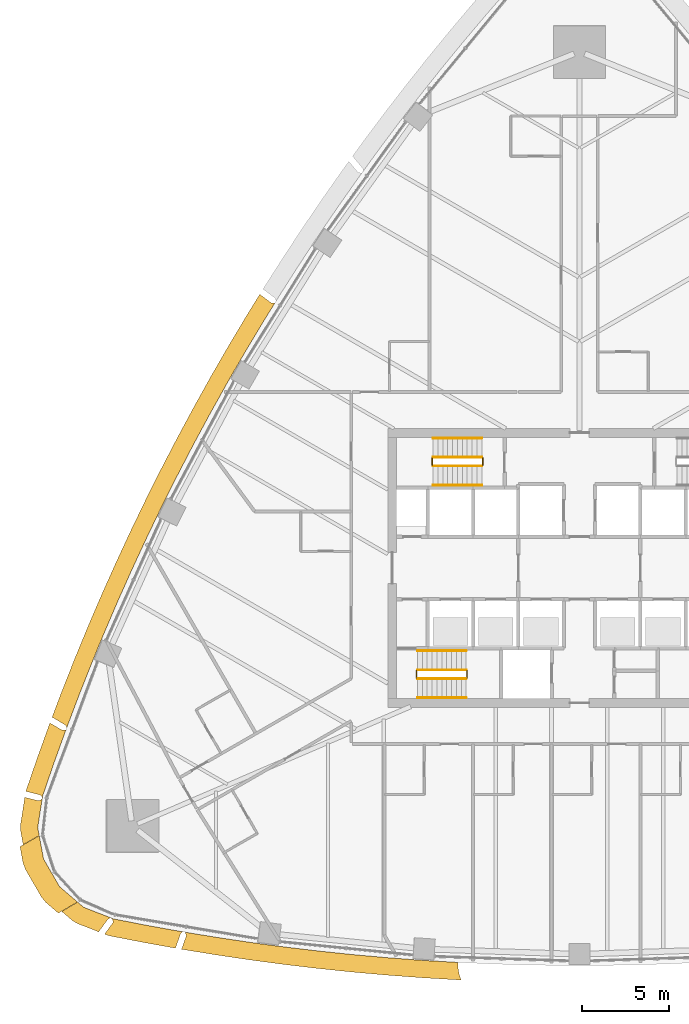
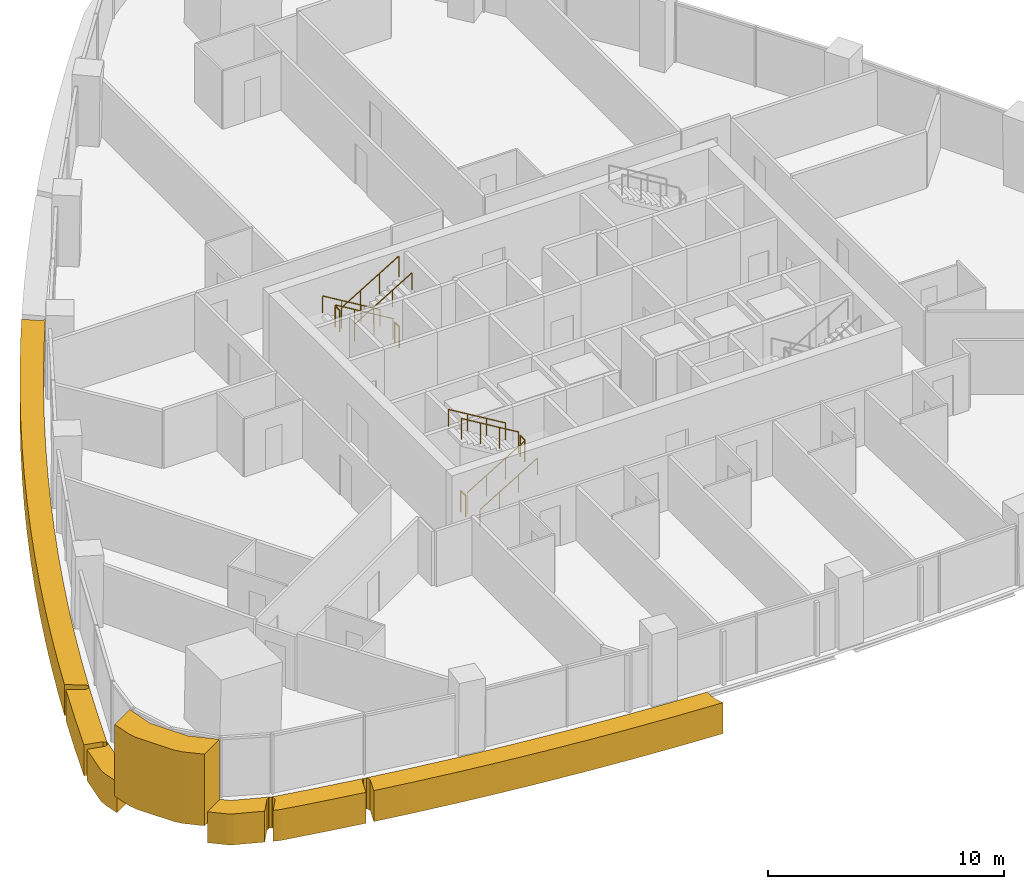
# One storey, part 14 of 17: 12 railings, 3 coverings.
"""IFC4 building model written with IfcOpenShell, lengths in metres."""

from ifc_helpers import new_model, si_unit, direction, frame, origin, origin_2d, place, context, subcontext, project, spatial, polyline, circle, outline, extrude, material, layer, layer_set, type_object, element, save


model = new_model("IFC4")

# Units and contexts
model_context = context("Model", 3, precision=1e-05, world=origin(), true_north=direction((0.0, 1.0)))
body_context = subcontext(model_context, "Body", "Model", "MODEL_VIEW")
ifc_project = project(units=[si_unit("LENGTHUNIT", "METRE"), si_unit("AREAUNIT", "SQUARE_METRE"), si_unit("VOLUMEUNIT", "CUBIC_METRE"), si_unit("PLANEANGLEUNIT", "RADIAN"), si_unit("MASSUNIT", "GRAM", prefix="KILO")], contexts=[model_context])

# Site, building, storey
site_placement = place(None, origin())
site = spatial("IfcSite", under=ifc_project, at=site_placement, CompositionType="ELEMENT")
building_placement = place(site_placement, origin())
building = spatial("IfcBuilding", under=site, at=building_placement, Name="Sierra Prisma Convention Tower", CompositionType="ELEMENT")
storey_placement = place(building_placement, frame((0.0, 0.0, 99.800048828125)))
storey = spatial("IfcBuildingStorey", under=building, at=storey_placement, Name="L21", CompositionType="ELEMENT", Elevation=99.800048828125)

# Coverings
ifc_material_1 = material(Name="Aluminium composite bronze anodised", Category="aluminium")
ifc_layer_1 = layer(ifc_material_1, 1.199951171875)
ifc_layer_set_1 = layer_set([ifc_layer_1], Name="Bronze corner pier")
covering_type_1 = type_object("IfcCoveringType", Name="Bronze corner pier", PredefinedType="CLADDING", material=ifc_layer_set_1)
covering_1_placement = place(storey_placement, frame((0.0, 0.0, -0.60009765625)))
element("IfcCovering", 1, at=covering_1_placement, inside=storey, type_object=covering_type_1, Name="Corner pier SW L21.1", PredefinedType="CLADDING", context=body_context, shape_type="SweptSolid", body=[
    extrude(outline(polyline([(-29.83544921875, -18.28271484375), (-28.801025390625, -19.168701171875), (-29.903076171875, -19.8046875), (-30.615966796875, -19.194091796875), (-30.87451171875, -18.8828125), (-31.790283203125, -17.296875), (-31.9306640625, -16.9169921875), (-32.10302734375, -15.994384765625), (-31.0009765625, -15.358154296875), (-30.7509765625, -16.69677734375), (-29.83544921875, -18.28271484375)])), origin(), (0.0, 0.0, 1.0), 3.699951171875),
])
ifc_material_2 = material(Name="Aluminium composite bronze anodised", Category="aluminium")
ifc_layer_2 = layer(ifc_material_2, 1.0)
ifc_layer_set_2 = layer_set([ifc_layer_2], Name="Bronze spandrel band")
covering_type_2 = type_object("IfcCoveringType", Name="Bronze spandrel band", PredefinedType="CLADDING", material=ifc_layer_set_2)
covering_2_placement = place(storey_placement, frame((0.0, 0.0, -1.60009765625)))
element("IfcCovering", 2, at=covering_2_placement, inside=storey, type_object=covering_type_2, Name="Spandrel band L21.1", PredefinedType="CLADDING", context=body_context, shape_type="SweptSolid", body=[
    extrude(outline(polyline([(-23.056884765625, 7.506591796875), (-23.0498046875, 7.519775390625), (-22.1044921875, 9.27490234375), (-22.097412109375, 9.2880859375), (-21.126220703125, 11.029052734375), (-21.118896484375, 11.0419921875), (-20.122314453125, 12.7685546875), (-20.11474609375, 12.781494140625), (-19.09228515625, 14.492919921875), (-19.084716796875, 14.505615234375), (-18.344482421875, 15.70458984375), (-17.688720703125, 15.209716796875), (-17.6845703125, 15.206787109375), (-17.679931640625, 15.204345703125), (-17.67529296875, 15.202392578125), (-17.670654296875, 15.200927734375), (-17.66552734375, 15.2001953125), (-17.66064453125, 15.19970703125), (-17.510009765625, 15.193359375), (-17.50537109375, 15.193359375), (-17.50048828125, 15.19384765625), (-17.495849609375, 15.19482421875), (-17.4912109375, 15.1962890625), (-17.48681640625, 15.197998046875), (-17.482666015625, 15.2001953125), (-17.47900390625, 15.202392578125), (-18.23388671875, 13.980224609375), (-19.256103515625, 12.2685546875), (-19.4453125, 11.941162109375), (-19.448486328125, 11.938232421875), (-19.451904296875, 11.934814453125), (-19.455078125, 11.930908203125), (-19.457763671875, 11.9267578125), (-20.0576171875, 10.887451171875), (-20.06005859375, 10.883056640625), (-20.061767578125, 10.878662109375), (-20.06298828125, 10.873779296875), (-20.06396484375, 10.869384765625), (-20.2529296875, 10.5419921875), (-21.22412109375, 8.80078125), (-22.16943359375, 7.04541015625), (-23.088623046875, 5.2763671875), (-23.70361328125, 4.048828125), (-23.705322265625, 4.047607421875), (-23.708740234375, 4.044189453125), (-23.7119140625, 4.040283203125), (-23.714599609375, 4.03662109375), (-23.716796875, 4.0322265625), (-23.9794921875, 3.498291015625), (-23.981689453125, 3.493896484375), (-23.98388671875, 3.489501953125), (-24.24658203125, 2.955322265625), (-24.248291015625, 2.950927734375), (-24.25, 2.9462890625), (-24.2509765625, 2.94140625), (-24.25146484375, 2.9365234375), (-24.25146484375, 2.934814453125), (-24.84814453125, 1.6982421875), (-25.68798828125, -0.10986328125), (-26.5009765625, -1.93017578125), (-27.287109375, -3.762451171875), (-27.430908203125, -4.112060546875), (-27.43115234375, -4.1123046875), (-27.43408203125, -4.11572265625), (-27.43701171875, -4.11962890625), (-27.439453125, -4.123779296875), (-27.44140625, -4.128173828125), (-27.898193359375, -5.23779296875), (-27.89990234375, -5.242431640625), (-27.90087890625, -5.247314453125), (-27.901611328125, -5.251953125), (-27.90185546875, -5.256591796875), (-28.0458984375, -5.606201171875), (-28.777099609375, -7.460693359375), (-29.481201171875, -9.326171875), (-30.1572265625, -11.20166015625), (-30.8056640625, -13.0869140625), (-31.087158203125, -14.896484375), (-31.0029296875, -15.34765625), (-31.92138671875, -15.8779296875), (-32.0703125, -15.080078125), (-32.0751953125, -14.742919921875), (-31.82958984375, -13.1630859375), (-31.05810546875, -13.353515625), (-31.052978515625, -13.3544921875), (-31.048095703125, -13.35498046875), (-31.043212890625, -13.354736328125), (-31.0380859375, -13.354248046875), (-31.033203125, -13.353271484375), (-31.0283203125, -13.3515625), (-30.887451171875, -13.298095703125), (-30.883056640625, -13.296142578125), (-30.87890625, -13.2939453125), (-30.875, -13.291259765625), (-30.871337890625, -13.2880859375), (-30.867919921875, -13.28466796875), (-30.864990234375, -13.281005859375), (-30.8623046875, -13.277099609375), (-30.860107421875, -13.272705078125), (-30.8583984375, -13.268310546875), (-30.856689453125, -13.263916015625), (-30.85595703125, -13.259033203125), (-30.840576171875, -13.160400390625), (-30.840087890625, -13.155517578125), (-30.83984375, -13.150634765625), (-30.84033203125, -13.145751953125), (-30.84130859375, -13.14111328125), (-30.842529296875, -13.13623046875), (-30.844482421875, -13.1318359375), (-30.8466796875, -13.12744140625), (-30.849365234375, -13.123291015625), (-30.852294921875, -13.11962890625), (-30.855712890625, -13.1162109375), (-30.951904296875, -13.025634765625), (-30.955810546875, -13.0224609375), (-30.960205078125, -13.01953125), (-30.964599609375, -13.01708984375), (-30.969482421875, -13.01513671875), (-30.974365234375, -13.013671875), (-31.765380859375, -12.818603515625), (-31.751220703125, -12.76171875), (-31.102783203125, -10.87646484375), (-31.097900390625, -10.862548828125), (-30.421875, -8.98681640625), (-30.416748046875, -8.97314453125), (-30.38671875, -8.893310546875), (-29.6904296875, -9.30517578125), (-29.686279296875, -9.307373046875), (-29.681884765625, -9.30908203125), (-29.677490234375, -9.310546875), (-29.673095703125, -9.3115234375), (-29.66845703125, -9.31201171875), (-29.663818359375, -9.312255859375), (-29.6591796875, -9.311767578125), (-29.500732421875, -9.293212890625), (-29.495849609375, -9.29248046875), (-29.4912109375, -9.291259765625), (-29.486328125, -9.289306640625), (-29.48193359375, -9.287109375), (-29.477783203125, -9.284423828125), (-29.473876953125, -9.281494140625), (-29.47021484375, -9.278076171875), (-29.467041015625, -9.274169921875), (-29.464111328125, -9.27001953125), (-29.4619140625, -9.265869140625), (-29.459716796875, -9.26123046875), (-29.424560546875, -9.16748046875), (-29.423095703125, -9.16259765625), (-29.422119140625, -9.15771484375), (-29.42138671875, -9.152587890625), (-29.42138671875, -9.147216796875), (-29.422119140625, -9.14208984375), (-29.423095703125, -9.13720703125), (-29.4248046875, -9.132080078125), (-29.4267578125, -9.12744140625), (-29.42919921875, -9.123046875), (-29.49560546875, -9.02001953125), (-29.498291015625, -9.01611328125), (-29.50146484375, -9.0126953125), (-29.504638671875, -9.009521484375), (-29.50830078125, -9.006591796875), (-29.51220703125, -9.00390625), (-30.26123046875, -8.560791015625), (-29.712890625, -7.10791015625), (-29.70751953125, -7.093994140625), (-28.97607421875, -5.2392578125), (-28.970458984375, -5.2255859375), (-28.211669921875, -3.3818359375), (-28.2060546875, -3.3681640625), (-27.419921875, -1.535888671875), (-27.4140625, -1.5224609375), (-26.60107421875, 0.2978515625), (-26.594970703125, 0.311279296875), (-25.755126953125, 2.11962890625), (-25.748779296875, 2.1328125), (-24.88232421875, 3.928466796875), (-24.875732421875, 3.94189453125), (-23.98291015625, 5.724365234375), (-23.97607421875, 5.737548828125), (-23.056884765625, 7.506591796875)])), origin(), (0.0, 0.0, 1.0), 1.60009765625),
])
covering_3_placement = place(storey_placement, frame((0.0, 0.0, -1.60009765625)))
element("IfcCovering", 3, at=covering_3_placement, inside=storey, type_object=covering_type_2, Name="Spandrel band L21.2", PredefinedType="CLADDING", context=body_context, shape_type="SweptSolid", body=[
    extrude(outline(polyline([(-17.295654296875, -21.700927734375), (-17.291015625, -21.701416015625), (-17.2861328125, -21.701416015625), (-17.281494140625, -21.700927734375), (-17.27685546875, -21.699951171875), (-17.276611328125, -21.69970703125), (-16.90185546875, -21.75), (-14.922119140625, -21.9853515625), (-12.939208984375, -22.191650390625), (-10.953369140625, -22.368408203125), (-9.583984375, -22.4697265625), (-9.58251953125, -22.470703125), (-9.578125, -22.47265625), (-9.573486328125, -22.47412109375), (-9.568603515625, -22.47509765625), (-9.563720703125, -22.4755859375), (-8.9716796875, -22.51513671875), (-8.965087890625, -22.515625), (-8.95849609375, -22.51611328125), (-8.366455078125, -22.5556640625), (-8.361572265625, -22.5556640625), (-8.356689453125, -22.555419921875), (-8.35205078125, -22.554443359375), (-8.347412109375, -22.55322265625), (-8.345458984375, -22.552490234375), (-6.977783203125, -22.633544921875), (-6.97412109375, -22.85595703125), (-6.94580078125, -23.102294921875), (-6.8935546875, -23.344482421875), (-6.817626953125, -23.580322265625), (-6.79052734375, -23.642822265625), (-7.019287109375, -23.6328125), (-7.033935546875, -23.6318359375), (-9.024169921875, -23.513916015625), (-9.0390625, -23.512939453125), (-11.027099609375, -23.365478515625), (-11.0419921875, -23.364501953125), (-13.02783203125, -23.1875), (-13.04248046875, -23.186279296875), (-15.025390625, -22.97998046875), (-15.040283203125, -22.978515625), (-17.02001953125, -22.742919921875), (-17.03466796875, -22.7412109375), (-19.0107421875, -22.476318359375), (-19.025390625, -22.474365234375), (-20.997314453125, -22.180419921875), (-21.011962890625, -22.177978515625), (-22.832275390625, -21.879150390625), (-22.563720703125, -21.1162109375), (-22.5625, -21.11181640625), (-22.561279296875, -21.107421875), (-22.560791015625, -21.102783203125), (-22.560791015625, -21.097900390625), (-22.561279296875, -21.093505859375), (-22.56201171875, -21.0888671875), (-22.563232421875, -21.084228515625), (-22.6123046875, -20.9326171875), (-22.614013671875, -20.927978515625), (-22.6162109375, -20.923583984375), (-22.618896484375, -20.919189453125), (-22.621826171875, -20.915283203125), (-22.62548828125, -20.911865234375), (-22.629150390625, -20.908447265625), (-22.63330078125, -20.90576171875), (-22.637451171875, -20.9033203125), (-22.64208984375, -20.901123046875), (-22.646728515625, -20.899658203125), (-22.651611328125, -20.898681640625), (-22.750244140625, -20.88232421875), (-22.755615234375, -20.881591796875), (-22.7607421875, -20.881591796875), (-22.765869140625, -20.882080078125), (-22.77099609375, -20.88330078125), (-22.77587890625, -20.884765625), (-22.780517578125, -20.88671875), (-22.78515625, -20.889404296875), (-22.789306640625, -20.892333984375), (-22.793212890625, -20.895751953125), (-22.88134765625, -20.980712890625), (-22.884521484375, -20.984130859375), (-22.887451171875, -20.98779296875), (-22.889892578125, -20.99169921875), (-22.89208984375, -20.995849609375), (-22.893798828125, -21.0), (-23.181884765625, -21.81884765625), (-24.956298828125, -21.50048828125), (-24.970703125, -21.497802734375), (-26.927490234375, -21.11669921875), (-27.097412109375, -21.067626953125), (-27.2490234375, -21.0087890625), (-26.783935546875, -20.372314453125), (-26.78125, -20.3681640625), (-26.779052734375, -20.36376953125), (-26.777099609375, -20.359130859375), (-26.77587890625, -20.354248046875), (-26.77490234375, -20.349365234375), (-26.7744140625, -20.344482421875), (-26.7744140625, -20.339599609375), (-26.785400390625, -20.171875), (-26.7861328125, -20.167236328125), (-26.787109375, -20.16259765625), (-26.78857421875, -20.157958984375), (-26.790283203125, -20.15380859375), (-26.79248046875, -20.1494140625), (-26.795166015625, -20.1455078125), (-26.798095703125, -20.141845703125), (-26.801513671875, -20.138427734375), (-26.804931640625, -20.135498046875), (-26.808837890625, -20.1328125), (-26.81298828125, -20.13037109375), (-26.8173828125, -20.12841796875), (-26.91064453125, -20.09228515625), (-26.915283203125, -20.0908203125), (-26.920166015625, -20.08984375), (-26.925048828125, -20.089111328125), (-26.93017578125, -20.089111328125), (-26.93505859375, -20.089599609375), (-26.93994140625, -20.09033203125), (-26.944580078125, -20.091796875), (-26.94921875, -20.093505859375), (-26.95361328125, -20.095703125), (-27.05126953125, -20.152099609375), (-27.0556640625, -20.15478515625), (-27.059814453125, -20.158203125), (-27.0634765625, -20.16162109375), (-27.066650390625, -20.165771484375), (-27.5869140625, -20.878173828125), (-28.805419921875, -20.40673828125), (-29.094970703125, -20.233642578125), (-29.711181640625, -19.705810546875), (-28.79296875, -19.175537109375), (-28.4443359375, -19.47412109375), (-26.736572265625, -20.135009765625), (-24.779541015625, -20.51611328125), (-22.817138671875, -20.868408203125), (-20.849853515625, -21.19140625), (-18.8779296875, -21.4853515625), (-18.50341796875, -21.535400390625), (-18.499267578125, -21.53759765625), (-18.49462890625, -21.539306640625), (-18.489990234375, -21.540771484375), (-18.485107421875, -21.541748046875), (-17.295654296875, -21.700927734375)])), origin(), (0.0, 0.0, 1.0), 1.60009765625),
])

# Railings
ifc_material_3 = material(Name="Stainless steel", Category="steel")
railing_type_1 = type_object("IfcRailingType", Name="Exit stair handrail", PredefinedType="HANDRAIL", material=ifc_material_3)
railing_1_placement = place(storey_placement, frame((-9.300048828125, -7.449951171875, 0.168212890625)))
element("IfcRailing", 4, at=railing_1_placement, inside=storey, type_object=railing_type_1, Name="L21 S1 stair handrail 1", PredefinedType="HANDRAIL", context=body_context, shape_type="SweptSolid", body=[
    extrude(circle(Radius=0.02392578125, at=origin_2d()), frame((0.0, 0.0, 0.8759765625), z_axis=(0.857275202839, 0.0, 0.514858452973), x_axis=(0.0, 1.0, 0.0)), (0.0, 0.0, 1.0), 3.26611328125),
    extrude(circle(Radius=0.02099609375, at=origin_2d()), origin(), (0.0, 0.0, 1.0), 0.851806640625),
    extrude(circle(Radius=0.02099609375, at=origin_2d()), frame((0.933349609375, 0.0, 0.560546875)), (0.0, 0.0, 1.0), 0.851806640625),
    extrude(circle(Radius=0.02099609375, at=origin_2d()), frame((1.86669921875, 0.0, 1.12109375)), (0.0, 0.0, 1.0), 0.851806640625),
    extrude(circle(Radius=0.02099609375, at=origin_2d()), frame((2.800048828125, 0.0, 1.681640625)), (0.0, 0.0, 1.0), 0.851806640625),
])
railing_2_placement = place(storey_placement, frame((-6.5, -4.75, 2.01806640625)))
element("IfcRailing", 5, at=railing_2_placement, inside=storey, type_object=railing_type_1, Name="L21 S1 stair handrail 2", PredefinedType="HANDRAIL", context=body_context, shape_type="SweptSolid", body=[
    extrude(circle(Radius=0.02392578125, at=origin_2d()), frame((0.0, 0.0, 0.8759765625), z_axis=(-0.857242210791, 0.0, 0.514913383045), x_axis=(0.0, -1.0, 0.0)), (0.0, 0.0, 1.0), 3.266357421875),
    extrude(circle(Radius=0.02099609375, at=origin_2d()), origin(), (0.0, 0.0, 1.0), 0.851806640625),
    extrude(circle(Radius=0.02099609375, at=origin_2d()), frame((-0.933349609375, 0.0, 0.560546875)), (0.0, 0.0, 1.0), 0.851806640625),
    extrude(circle(Radius=0.02099609375, at=origin_2d()), frame((-1.86669921875, 0.0, 1.121337890625)), (0.0, 0.0, 1.0), 0.851806640625),
    extrude(circle(Radius=0.02099609375, at=origin_2d()), frame((-2.800048828125, 0.0, 1.681884765625)), (0.0, 0.0, 1.0), 0.851806640625),
])
railing_3_placement = place(storey_placement, frame((-5.60009765625, 7.449951171875, 0.168212890625)))
element("IfcRailing", 6, at=railing_3_placement, inside=storey, type_object=railing_type_1, Name="L21 S3 stair handrail 1", PredefinedType="HANDRAIL", context=body_context, shape_type="SweptSolid", body=[
    extrude(circle(Radius=0.02392578125, at=origin_2d()), frame((0.0, 0.0, 0.8759765625), z_axis=(-0.857255387014, 0.0, 0.514891446264), x_axis=(0.0, -1.0, 0.0)), (0.0, 0.0, 1.0), 3.26611328125),
    extrude(circle(Radius=0.02099609375, at=origin_2d()), origin(), (0.0, 0.0, 1.0), 0.851806640625),
    extrude(circle(Radius=0.02099609375, at=origin_2d()), frame((-0.933349609375, 0.0, 0.560546875)), (0.0, 0.0, 1.0), 0.851806640625),
    extrude(circle(Radius=0.02099609375, at=origin_2d()), frame((-1.866455078125, 0.0, 1.12109375)), (0.0, 0.0, 1.0), 0.851806640625),
    extrude(circle(Radius=0.02099609375, at=origin_2d()), frame((-2.7998046875, 0.0, 1.681640625)), (0.0, 0.0, 1.0), 0.851806640625),
])
railing_4_placement = place(storey_placement, frame((-8.39990234375, 4.75, 2.01806640625)))
element("IfcRailing", 7, at=railing_4_placement, inside=storey, type_object=railing_type_1, Name="L21 S3 stair handrail 2", PredefinedType="HANDRAIL", context=body_context, shape_type="SweptSolid", body=[
    extrude(circle(Radius=0.02392578125, at=origin_2d()), frame((0.0, 0.0, 0.8759765625), z_axis=(0.857222391501, 0.0, 0.514946377315), x_axis=(0.0, 1.0, 0.0)), (0.0, 0.0, 1.0), 3.26611328125),
    extrude(circle(Radius=0.02099609375, at=origin_2d()), origin(), (0.0, 0.0, 1.0), 0.851806640625),
    extrude(circle(Radius=0.02099609375, at=origin_2d()), frame((0.933349609375, 0.0, 0.560546875)), (0.0, 0.0, 1.0), 0.851806640625),
    extrude(circle(Radius=0.02099609375, at=origin_2d()), frame((1.866455078125, 0.0, 1.121337890625)), (0.0, 0.0, 1.0), 0.851806640625),
    extrude(circle(Radius=0.02099609375, at=origin_2d()), frame((2.7998046875, 0.0, 1.681884765625)), (0.0, 0.0, 1.0), 0.851806640625),
])
ifc_material_4 = material(Name="Stainless steel", Category="steel")
railing_type_2 = type_object("IfcRailingType", Name="Stair guard 1100", PredefinedType="GUARDRAIL", material=ifc_material_4)
railing_5_placement = place(storey_placement, frame((-9.300048828125, -6.35009765625, 0.168212890625)))
element("IfcRailing", 8, at=railing_5_placement, inside=storey, type_object=railing_type_2, Name="L21 S1 stair guard 1", PredefinedType="GUARDRAIL", context=body_context, shape_type="SweptSolid", body=[
    extrude(circle(Radius=0.02392578125, at=origin_2d()), frame((0.0, 0.0, 1.076171875), z_axis=(0.857275202839, 0.0, 0.514858452973), x_axis=(0.0, 1.0, 0.0)), (0.0, 0.0, 1.0), 3.26611328125),
    extrude(circle(Radius=0.02099609375, at=origin_2d()), origin(), (0.0, 0.0, 1.0), 1.052001953125),
    extrude(circle(Radius=0.02099609375, at=origin_2d()), frame((0.933349609375, 0.0, 0.560546875)), (0.0, 0.0, 1.0), 1.052001953125),
    extrude(circle(Radius=0.02099609375, at=origin_2d()), frame((1.86669921875, 0.0, 1.12109375)), (0.0, 0.0, 1.0), 1.052001953125),
    extrude(circle(Radius=0.02099609375, at=origin_2d()), frame((2.800048828125, 0.0, 1.681640625)), (0.0, 0.0, 1.0), 1.052001953125),
])
railing_6_placement = place(storey_placement, frame((-6.449951171875, -6.300048828125, 1.849853515625)))
element("IfcRailing", 9, at=railing_6_placement, inside=storey, type_object=railing_type_2, Name="L21 S1 stair guard 2", PredefinedType="GUARDRAIL", context=body_context, shape_type="SweptSolid", body=[
    extrude(circle(Radius=0.02392578125, at=origin_2d()), frame((0.0, 0.0, 1.076171875), z_axis=(0.0, 1.0, 0.0), x_axis=(-1.0, 0.0, 0.0)), (0.0, 0.0, 1.0), 0.400146484375),
    extrude(circle(Radius=0.02099609375, at=origin_2d()), origin(), (0.0, 0.0, 1.0), 1.052001953125),
    extrude(circle(Radius=0.02099609375, at=origin_2d()), frame((0.0, 0.400146484375, 0.0)), (0.0, 0.0, 1.0), 1.052001953125),
])
railing_7_placement = place(storey_placement, frame((-6.5, -5.85009765625, 2.01806640625)))
element("IfcRailing", 10, at=railing_7_placement, inside=storey, type_object=railing_type_2, Name="L21 S1 stair guard 3", PredefinedType="GUARDRAIL", context=body_context, shape_type="SweptSolid", body=[
    extrude(circle(Radius=0.02392578125, at=origin_2d()), frame((0.0, 0.0, 1.076171875), z_axis=(-0.857242210791, 0.0, 0.514913383045), x_axis=(0.0, -1.0, 0.0)), (0.0, 0.0, 1.0), 3.266357421875),
    extrude(circle(Radius=0.02099609375, at=origin_2d()), origin(), (0.0, 0.0, 1.0), 1.052001953125),
    extrude(circle(Radius=0.02099609375, at=origin_2d()), frame((-0.933349609375, 0.0, 0.560546875)), (0.0, 0.0, 1.0), 1.052001953125),
    extrude(circle(Radius=0.02099609375, at=origin_2d()), frame((-1.86669921875, 0.0, 1.121337890625)), (0.0, 0.0, 1.0), 1.052001953125),
    extrude(circle(Radius=0.02099609375, at=origin_2d()), frame((-2.800048828125, 0.0, 1.681884765625)), (0.0, 0.0, 1.0), 1.052001953125),
])
railing_8_placement = place(storey_placement, frame((-9.35009765625, -6.300048828125, 0.0)))
element("IfcRailing", 11, at=railing_8_placement, inside=storey, type_object=railing_type_2, Name="L21 S1 stair guard 4", PredefinedType="GUARDRAIL", context=body_context, shape_type="SweptSolid", body=[
    extrude(circle(Radius=0.02392578125, at=origin_2d()), frame((0.0, 0.0, 1.076171875), z_axis=(0.0, 1.0, 0.0), x_axis=(-1.0, 0.0, 0.0)), (0.0, 0.0, 1.0), 0.400146484375),
    extrude(circle(Radius=0.02099609375, at=origin_2d()), origin(), (0.0, 0.0, 1.0), 1.052001953125),
    extrude(circle(Radius=0.02099609375, at=origin_2d()), frame((0.0, 0.400146484375, 0.0)), (0.0, 0.0, 1.0), 1.052001953125),
])
railing_9_placement = place(storey_placement, frame((-5.60009765625, 6.35009765625, 0.168212890625)))
element("IfcRailing", 12, at=railing_9_placement, inside=storey, type_object=railing_type_2, Name="L21 S3 stair guard 1", PredefinedType="GUARDRAIL", context=body_context, shape_type="SweptSolid", body=[
    extrude(circle(Radius=0.02392578125, at=origin_2d()), frame((0.0, 0.0, 1.076171875), z_axis=(-0.857255387014, 0.0, 0.514891446264), x_axis=(0.0, -1.0, 0.0)), (0.0, 0.0, 1.0), 3.26611328125),
    extrude(circle(Radius=0.02099609375, at=origin_2d()), origin(), (0.0, 0.0, 1.0), 1.052001953125),
    extrude(circle(Radius=0.02099609375, at=origin_2d()), frame((-0.933349609375, 0.0, 0.560546875)), (0.0, 0.0, 1.0), 1.052001953125),
    extrude(circle(Radius=0.02099609375, at=origin_2d()), frame((-1.866455078125, 0.0, 1.12109375)), (0.0, 0.0, 1.0), 1.052001953125),
    extrude(circle(Radius=0.02099609375, at=origin_2d()), frame((-2.7998046875, 0.0, 1.681640625)), (0.0, 0.0, 1.0), 1.052001953125),
])
railing_10_placement = place(storey_placement, frame((-8.449951171875, 6.300048828125, 1.849853515625)))
element("IfcRailing", 13, at=railing_10_placement, inside=storey, type_object=railing_type_2, Name="L21 S3 stair guard 2", PredefinedType="GUARDRAIL", context=body_context, shape_type="SweptSolid", body=[
    extrude(circle(Radius=0.02392578125, at=origin_2d()), frame((0.0, 0.0, 1.076171875), z_axis=(0.0, -1.0, 0.0), x_axis=(1.0, 0.0, 0.0)), (0.0, 0.0, 1.0), 0.400146484375),
    extrude(circle(Radius=0.02099609375, at=origin_2d()), origin(), (0.0, 0.0, 1.0), 1.052001953125),
    extrude(circle(Radius=0.02099609375, at=origin_2d()), frame((0.0, -0.400146484375, 0.0)), (0.0, 0.0, 1.0), 1.052001953125),
])
railing_11_placement = place(storey_placement, frame((-8.39990234375, 5.85009765625, 2.01806640625)))
element("IfcRailing", 14, at=railing_11_placement, inside=storey, type_object=railing_type_2, Name="L21 S3 stair guard 3", PredefinedType="GUARDRAIL", context=body_context, shape_type="SweptSolid", body=[
    extrude(circle(Radius=0.02392578125, at=origin_2d()), frame((0.0, 0.0, 1.076171875), z_axis=(0.857222391501, 0.0, 0.514946377315), x_axis=(0.0, 1.0, 0.0)), (0.0, 0.0, 1.0), 3.26611328125),
    extrude(circle(Radius=0.02099609375, at=origin_2d()), origin(), (0.0, 0.0, 1.0), 1.052001953125),
    extrude(circle(Radius=0.02099609375, at=origin_2d()), frame((0.933349609375, 0.0, 0.560546875)), (0.0, 0.0, 1.0), 1.052001953125),
    extrude(circle(Radius=0.02099609375, at=origin_2d()), frame((1.866455078125, 0.0, 1.121337890625)), (0.0, 0.0, 1.0), 1.052001953125),
    extrude(circle(Radius=0.02099609375, at=origin_2d()), frame((2.7998046875, 0.0, 1.681884765625)), (0.0, 0.0, 1.0), 1.052001953125),
])
railing_12_placement = place(storey_placement, frame((-5.550048828125, 6.300048828125, 0.0)))
element("IfcRailing", 15, at=railing_12_placement, inside=storey, type_object=railing_type_2, Name="L21 S3 stair guard 4", PredefinedType="GUARDRAIL", context=body_context, shape_type="SweptSolid", body=[
    extrude(circle(Radius=0.02392578125, at=origin_2d()), frame((0.0, 0.0, 1.076171875), z_axis=(0.0, -1.0, 0.0), x_axis=(1.0, 0.0, 0.0)), (0.0, 0.0, 1.0), 0.400146484375),
    extrude(circle(Radius=0.02099609375, at=origin_2d()), origin(), (0.0, 0.0, 1.0), 1.052001953125),
    extrude(circle(Radius=0.02099609375, at=origin_2d()), frame((0.0, -0.400146484375, 0.0)), (0.0, 0.0, 1.0), 1.052001953125),
])

save(model, "model.ifc")
